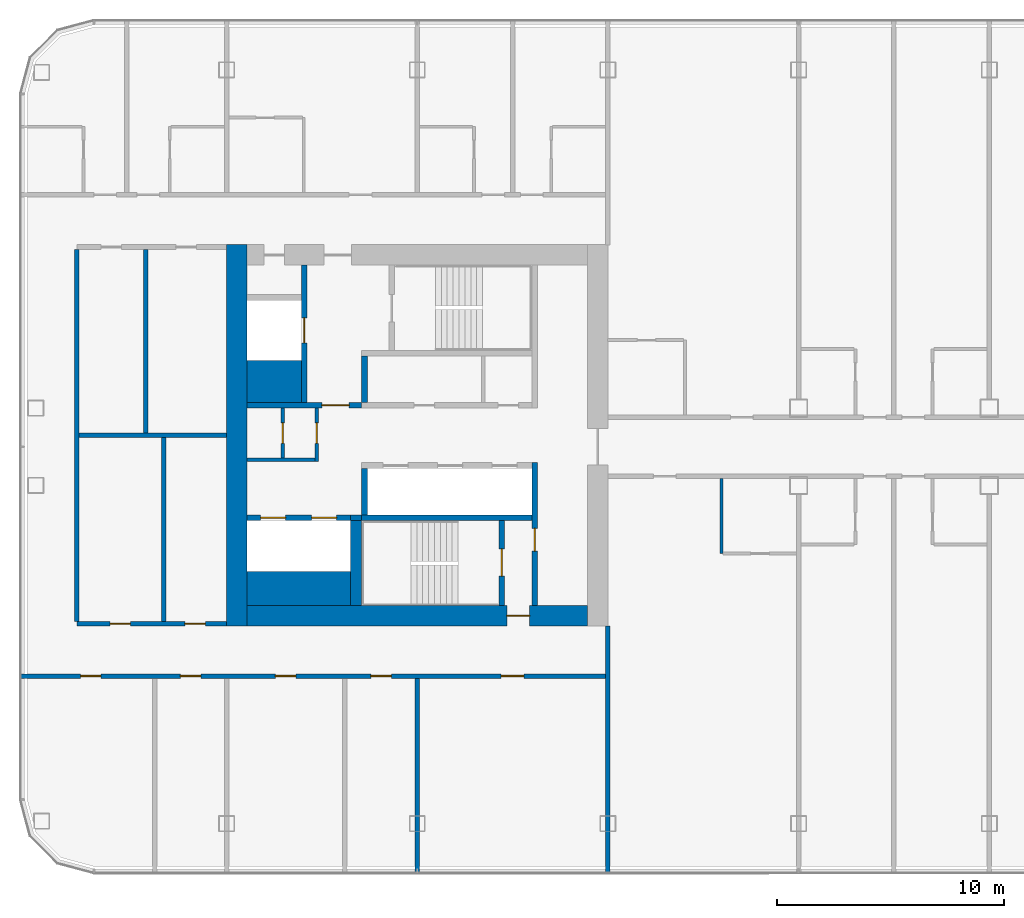
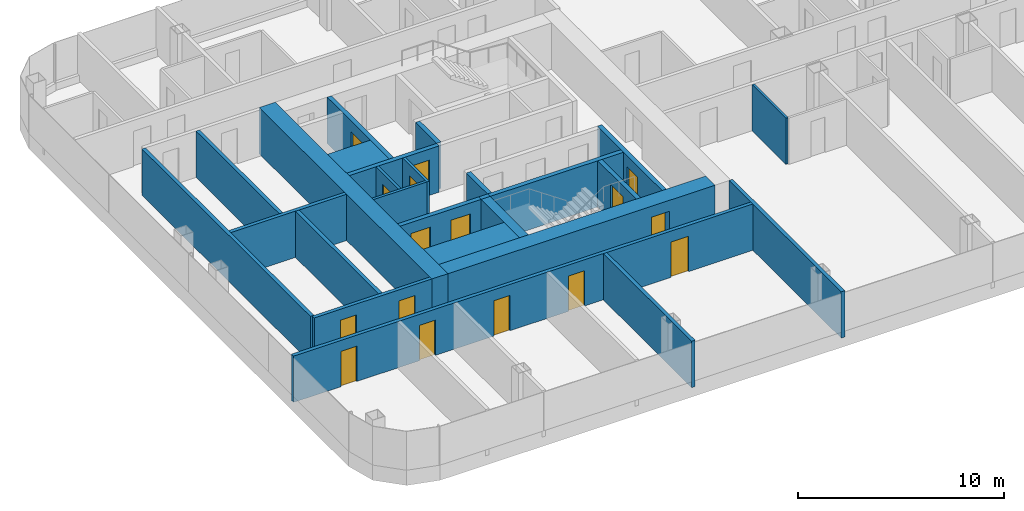
# One storey, part 12 of 26: 26 walls, 16 doors, 16 openings.
"""IFC4 building model written with IfcOpenShell, lengths in metres."""

from ifc_helpers import new_model, si_unit, direction, frame, frame_2d, origin, place, context, subcontext, project, spatial, rectangle, extrude, material, layer, layer_set, type_object, element, fill, save


model = new_model("IFC4")

# Units and contexts
model_context = context("Model", 3, precision=1e-05, world=origin(), true_north=direction((0.0, 1.0)))
body_context = subcontext(model_context, "Body", "Model", "MODEL_VIEW")
ifc_project = project(units=[si_unit("LENGTHUNIT", "METRE"), si_unit("AREAUNIT", "SQUARE_METRE"), si_unit("VOLUMEUNIT", "CUBIC_METRE"), si_unit("PLANEANGLEUNIT", "RADIAN"), si_unit("MASSUNIT", "GRAM", prefix="KILO")], contexts=[model_context])

# Site, building, storey
site_placement = place(None, origin())
site = spatial("IfcSite", under=ifc_project, at=site_placement, CompositionType="ELEMENT")
building_placement = place(site_placement, origin())
building = spatial("IfcBuilding", under=site, at=building_placement, Name="Hakoniwa Tower and Hamabe Station Hall", CompositionType="ELEMENT")
storey_placement = place(building_placement, frame((0.0, 0.0, 153.39990234375)))
storey = spatial("IfcBuildingStorey", under=building, at=storey_placement, Name="L43", CompositionType="ELEMENT", Elevation=153.39990234375)

# Wall
ifc_material_1 = material(Name="Gypsum board partition", Category="gypsum")
ifc_layer_1 = layer(ifc_material_1, 0.125)
ifc_layer_set_1 = layer_set([ifc_layer_1], Name="Bathroom Partition 125")
wall_type_1 = type_object("IfcWallType", Name="Bathroom Partition 125", PredefinedType="PARTITIONING", material=ifc_layer_set_1)
wall_1_placement = place(storey_placement, frame((-11.800048828125, -5.199951171875, 0.0), z_axis=(0.0, 0.0, 1.0), x_axis=(0.0, 1.0, 0.0)))
element("IfcWall", 1, at=wall_1_placement, inside=storey, type_object=wall_type_1, Name="GW-L43-055", PredefinedType="PARTITIONING", context=body_context, shape_type="SweptSolid", body=[
    extrude(rectangle(XDim=3.300048828125, YDim=0.125, at=frame_2d((1.64990234375, 0.0))), origin(), (0.0, 0.0, 1.0), 2.75),
])

# Wall, opening, door
ifc_material_2 = material(Name="Gypsum board partition")
ifc_layer_2 = layer(ifc_material_2, 0.14990234375)
ifc_layer_set_2 = layer_set([ifc_layer_2], Name="CORE PARTITION 150 EI 60")
wall_type_2 = type_object("IfcWallType", Name="CORE PARTITION 150 EI 60", PredefinedType="PARTITIONING", material=ifc_layer_set_2)
wall_2_placement = place(storey_placement, frame((-29.625, -1.14990234375, 0.0), z_axis=(0.0, 0.0, 1.0), x_axis=(0.0, 1.0, 0.0)))
wall_2 = element("IfcWall", 2, at=wall_2_placement, inside=storey, type_object=wall_type_2, Name="Core partition PW0 west", PredefinedType="PARTITIONING", context=body_context, shape_type="SweptSolid", body=[
    extrude(rectangle(XDim=2.349853515625, YDim=0.14990234375, at=frame_2d((1.1748046875, 0.0))), origin(), (0.0, 0.0, 1.0), 2.75),
])
opening_1_placement = place(wall_2_placement, frame((0.800048828125, 0.0, 0.0)))
opening_1 = element("IfcOpeningElement", 3, at=opening_1_placement, cuts=wall_2, Name="Opening CD-W-RM1-9", PredefinedType="OPENING", context=body_context, shape_type="SweptSolid", body=[
    extrude(rectangle(XDim=0.89990234375, YDim=2.10009765625, at=frame_2d((0.449951171875, 1.050048828125))), frame((0.0, 0.0849609375, 0.0), z_axis=(0.0, -1.0, 0.0), x_axis=(1.0, 0.0, 0.0)), (0.0, 0.0, 1.0), 0.169921875),
])
ifc_material_3 = material(Name="Steel fire door", Category="steel")
door_type_1 = type_object("IfcDoorType", Name="CORE DOOR 900 FD30", OperationType="NOTDEFINED", PredefinedType="DOOR", material=ifc_material_3)
door_1_placement = place(opening_1_placement, origin())
door_1 = element("IfcDoor", 4, at=door_1_placement, inside=storey, type_object=door_type_1, Name="Store room door", OperationType="SINGLE_SWING_RIGHT", OverallHeight=2.10009765625, OverallWidth=0.89990234375, PredefinedType="DOOR", context=body_context, shape_type="SweptSolid", body=[
    extrude(rectangle(XDim=0.89990234375, YDim=2.10009765625, at=frame_2d((0.449951171875, 1.050048828125))), frame((0.0, 0.02490234375, 0.0), z_axis=(0.0, -1.0, 0.0), x_axis=(1.0, 0.0, 0.0)), (0.0, 0.0, 1.0), 0.050048828125),
])
fill(opening_1, door_1)

# Wall
wall_3_placement = place(storey_placement, frame((-32.699951171875, -1.074951171875, 0.0), z_axis=(0.0, 0.0, 1.0), x_axis=(1.0, 0.0, 0.0)))
element("IfcWall", 5, at=wall_3_placement, inside=storey, type_object=wall_type_2, Name="Core partition PS west", PredefinedType="PARTITIONING", context=body_context, shape_type="SweptSolid", body=[
    extrude(rectangle(XDim=3.0, YDim=0.14990234375, at=frame_2d((1.5, 0.0))), origin(), (0.0, 0.0, 1.0), 2.75),
])

# Wall, opening, door
wall_4_placement = place(storey_placement, frame((-31.125, -1.0, 0.0), z_axis=(0.0, 0.0, 1.0), x_axis=(0.0, 1.0, 0.0)))
wall_4 = element("IfcWall", 6, at=wall_4_placement, inside=storey, type_object=wall_type_2, Name="Core partition PW1 west", PredefinedType="PARTITIONING", context=body_context, shape_type="SweptSolid", body=[
    extrude(rectangle(XDim=2.199951171875, YDim=0.14990234375, at=frame_2d((1.10009765625, 0.0))), origin(), (0.0, 0.0, 1.0), 2.75),
])
opening_2_placement = place(wall_4_placement, frame((0.64990234375, 0.0, 0.0)))
opening_2 = element("IfcOpeningElement", 7, at=opening_2_placement, cuts=wall_4, Name="Opening CD-W-RM2-9", PredefinedType="OPENING", context=body_context, shape_type="SweptSolid", body=[
    extrude(rectangle(XDim=0.89990234375, YDim=2.10009765625, at=frame_2d((0.449951171875, 1.050048828125))), frame((0.0, 0.0849609375, 0.0), z_axis=(0.0, -1.0, 0.0), x_axis=(1.0, 0.0, 0.0)), (0.0, 0.0, 1.0), 0.169921875),
])
door_2_placement = place(opening_2_placement, origin())
door_2 = element("IfcDoor", 8, at=door_2_placement, inside=storey, type_object=door_type_1, Name="Store room door", OperationType="SINGLE_SWING_RIGHT", OverallHeight=2.10009765625, OverallWidth=0.89990234375, PredefinedType="DOOR", context=body_context, shape_type="SweptSolid", body=[
    extrude(rectangle(XDim=0.89990234375, YDim=2.10009765625, at=frame_2d((0.449951171875, 1.050048828125))), frame((0.0, 0.02490234375, 0.0), z_axis=(0.0, -1.0, 0.0), x_axis=(1.0, 0.0, 0.0)), (0.0, 0.0, 1.0), 0.050048828125),
])
fill(opening_2, door_2)

# Wall
ifc_material_4 = material(Name="Concrete C66", Category="concrete")
ifc_layer_3 = layer(ifc_material_4, 0.89990234375)
ifc_layer_set_3 = layer_set([ifc_layer_3], Name="CORE WALL 900 C66")
wall_type_3 = type_object("IfcWallType", Name="CORE WALL 900 C66", PredefinedType="SHEAR", material=ifc_layer_set_3)
wall_5_placement = place(storey_placement, frame((-33.14990234375, -8.39990234375, 0.0), z_axis=(0.0, 0.0, 1.0), x_axis=(0.0, 1.0, 0.0)))
element("IfcWall", 9, at=wall_5_placement, inside=storey, type_object=wall_type_3, Name="Core wall OUTER west", PredefinedType="SHEAR", context=body_context, shape_type="SweptSolid", body=[
    extrude(rectangle(XDim=16.7998046875, YDim=0.89990234375, at=frame_2d((8.39990234375, 0.0))), origin(), (0.0, 0.0, 1.0), 2.75),
])

# Wall, opening, door
wall_6_placement = place(storey_placement, frame((-32.699951171875, -7.949951171875, 0.0), z_axis=(0.0, 0.0, 1.0), x_axis=(1.0, 0.0, 0.0)))
wall_6 = element("IfcWall", 10, at=wall_6_placement, inside=storey, type_object=wall_type_3, Name="Core wall SOUTH west", PredefinedType="SHEAR", context=body_context, shape_type="SweptSolid", body=[
    extrude(rectangle(XDim=15.0, YDim=0.89990234375, at=frame_2d((7.5, 0.0))), origin(), (0.0, 0.0, 1.0), 2.75),
])
opening_3_placement = place(wall_6_placement, frame((11.449951171875, 0.0, 0.0)))
opening_3 = element("IfcOpeningElement", 11, at=opening_3_placement, cuts=wall_6, Name="Opening CD-W-FS3-10", PredefinedType="OPENING", context=body_context, shape_type="SweptSolid", body=[
    extrude(rectangle(XDim=1.0, YDim=2.10009765625, at=frame_2d((0.5, 1.050048828125))), frame((0.0, 0.4599609375, 0.0), z_axis=(0.0, -1.0, 0.0), x_axis=(1.0, 0.0, 0.0)), (0.0, 0.0, 1.0), 0.919921875),
])
ifc_material_5 = material(Name="Steel fire door", Category="steel")
door_type_2 = type_object("IfcDoorType", Name="CORE DOOR 1000 FD60", OperationType="NOTDEFINED", PredefinedType="DOOR", material=ifc_material_5)
door_3_placement = place(opening_3_placement, origin())
door_3 = element("IfcDoor", 12, at=door_3_placement, inside=storey, type_object=door_type_2, Name="Stair vestibule door", OperationType="SINGLE_SWING_LEFT", OverallHeight=2.10009765625, OverallWidth=1.0, PredefinedType="DOOR", context=body_context, shape_type="SweptSolid", body=[
    extrude(rectangle(XDim=1.0, YDim=2.10009765625, at=frame_2d((0.5, 1.050048828125))), frame((0.0, 0.02490234375, 0.0), z_axis=(0.0, -1.0, 0.0), x_axis=(1.0, 0.0, 0.0)), (0.0, 0.0, 1.0), 0.050048828125),
])
fill(opening_3, door_3)

# Walls
ifc_material_6 = material(Name="Concrete C66", Category="concrete")
ifc_layer_4 = layer(ifc_material_6, 1.5)
ifc_layer_set_4 = layer_set([ifc_layer_4], Name="CORE WEB WALL 1500 C66")
wall_type_4 = type_object("IfcWallType", Name="CORE WEB WALL 1500 C66", PredefinedType="SHEAR", material=ifc_layer_set_4)
wall_7_placement = place(storey_placement, frame((-32.699951171875, -6.75, 0.0), z_axis=(0.0, 0.0, 1.0), x_axis=(1.0, 0.0, 0.0)))
element("IfcWall", 13, at=wall_7_placement, inside=storey, type_object=wall_type_4, Name="Core wall SER west", PredefinedType="SHEAR", context=body_context, shape_type="SweptSolid", body=[
    extrude(rectangle(XDim=4.550048828125, YDim=1.5, at=frame_2d((2.27490234375, 0.0))), origin(), (0.0, 0.0, 1.0), 2.75),
])
ifc_material_7 = material(Name="Concrete C66", Category="concrete")
ifc_layer_5 = layer(ifc_material_7, 1.85009765625)
ifc_layer_set_5 = layer_set([ifc_layer_5], Name="CORE WEB WALL 1850 C66")
wall_type_5 = type_object("IfcWallType", Name="CORE WEB WALL 1850 C66", PredefinedType="SHEAR", material=ifc_layer_set_5)
wall_8_placement = place(storey_placement, frame((-32.699951171875, 2.375, 0.0), z_axis=(0.0, 0.0, 1.0), x_axis=(1.0, 0.0, 0.0)))
element("IfcWall", 14, at=wall_8_placement, inside=storey, type_object=wall_type_5, Name="Core wall CA west", PredefinedType="SHEAR", context=body_context, shape_type="SweptSolid", body=[
    extrude(rectangle(XDim=2.39990234375, YDim=1.85009765625, at=frame_2d((1.199951171875, 0.0))), origin(), (0.0, 0.0, 1.0), 2.75),
])

# Wall, opening, door
ifc_material_8 = material(Name="Concrete C66", Category="concrete")
ifc_layer_6 = layer(ifc_material_8, 0.25)
ifc_layer_set_6 = layer_set([ifc_layer_6], Name="CORE WEB WALL 250 C66")
wall_type_6 = type_object("IfcWallType", Name="CORE WEB WALL 250 C66", PredefinedType="SHEAR", material=ifc_layer_set_6)
wall_9_placement = place(storey_placement, frame((-20.02490234375, -7.5, 0.0), z_axis=(0.0, 0.0, 1.0), x_axis=(0.0, 1.0, 0.0)))
wall_9 = element("IfcWall", 15, at=wall_9_placement, inside=storey, type_object=wall_type_6, Name="Core wall W1S west", PredefinedType="SHEAR", context=body_context, shape_type="SweptSolid", body=[
    extrude(rectangle(XDim=6.300048828125, YDim=0.25, at=frame_2d((3.14990234375, 0.0))), origin(), (0.0, 0.0, 1.0), 2.75),
])
opening_4_placement = place(wall_9_placement, frame((2.39990234375, 0.0, 0.0)))
opening_4 = element("IfcOpeningElement", 16, at=opening_4_placement, cuts=wall_9, Name="Opening CD-W-VS-10", PredefinedType="OPENING", context=body_context, shape_type="SweptSolid", body=[
    extrude(rectangle(XDim=1.0, YDim=2.10009765625, at=frame_2d((0.5, 1.050048828125))), frame((0.0, 0.135009765625, 0.0), z_axis=(0.0, -1.0, 0.0), x_axis=(1.0, 0.0, 0.0)), (0.0, 0.0, 1.0), 0.27001953125),
])
door_4_placement = place(opening_4_placement, origin())
door_4 = element("IfcDoor", 17, at=door_4_placement, inside=storey, type_object=door_type_2, Name="Stair vestibule door", OperationType="SINGLE_SWING_LEFT", OverallHeight=2.10009765625, OverallWidth=1.0, PredefinedType="DOOR", context=body_context, shape_type="SweptSolid", body=[
    extrude(rectangle(XDim=1.0, YDim=2.10009765625, at=frame_2d((0.5, 1.050048828125))), frame((0.0, 0.02490234375, 0.0), z_axis=(0.0, -1.0, 0.0), x_axis=(1.0, 0.0, 0.0)), (0.0, 0.0, 1.0), 0.050048828125),
])
fill(opening_4, door_4)

# Wall
wall_10_placement = place(storey_placement, frame((-27.52490234375, 1.449951171875, 0.0), z_axis=(0.0, 0.0, 1.0), x_axis=(0.0, 1.0, 0.0)))
element("IfcWall", 18, at=wall_10_placement, inside=storey, type_object=wall_type_6, Name="Core wall NE west", PredefinedType="SHEAR", context=body_context, shape_type="SweptSolid", body=[
    extrude(rectangle(XDim=2.050048828125, YDim=0.25, at=frame_2d((1.02490234375, 0.0))), origin(), (0.0, 0.0, 1.0), 2.75),
])

# Wall, opening, door
wall_11_placement = place(storey_placement, frame((-32.699951171875, 1.324951171875, 0.0), z_axis=(0.0, 0.0, 1.0), x_axis=(1.0, 0.0, 0.0)))
wall_11 = element("IfcWall", 19, at=wall_11_placement, inside=storey, type_object=wall_type_6, Name="Core wall ELN west", PredefinedType="SHEAR", context=body_context, shape_type="SweptSolid", body=[
    extrude(rectangle(XDim=5.050048828125, YDim=0.25, at=frame_2d((2.52490234375, 0.0))), origin(), (0.0, 0.0, 1.0), 2.75),
])
opening_5_placement = place(wall_11_placement, frame((3.300048828125, 0.0, 0.0)))
opening_5 = element("IfcOpeningElement", 20, at=opening_5_placement, cuts=wall_11, Name="Opening CD-W-FL-12", PredefinedType="OPENING", context=body_context, shape_type="SweptSolid", body=[
    extrude(rectangle(XDim=1.199951171875, YDim=2.10009765625, at=frame_2d((0.60009765625, 1.050048828125))), frame((0.0, 0.135009765625, 0.0), z_axis=(0.0, -1.0, 0.0), x_axis=(1.0, 0.0, 0.0)), (0.0, 0.0, 1.0), 0.27001953125),
])
ifc_material_9 = material(Name="Steel fire door", Category="steel")
door_type_3 = type_object("IfcDoorType", Name="CORE DOOR 1200 FD60", OperationType="DOUBLE_DOOR_SINGLE_SWING", PredefinedType="DOOR", material=ifc_material_9)
door_5_placement = place(opening_5_placement, origin())
door_5 = element("IfcDoor", 21, at=door_5_placement, inside=storey, type_object=door_type_3, Name="Stair vestibule door to the fire-fighting lobby", OperationType="DOUBLE_DOOR_SINGLE_SWING", OverallHeight=2.10009765625, OverallWidth=1.199951171875, PredefinedType="DOOR", context=body_context, shape_type="SweptSolid", body=[
    extrude(rectangle(XDim=1.199951171875, YDim=2.10009765625, at=frame_2d((0.60009765625, 1.050048828125))), frame((0.0, 0.02490234375, 0.0), z_axis=(0.0, -1.0, 0.0), x_axis=(1.0, 0.0, 0.0)), (0.0, 0.0, 1.0), 0.050048828125),
])
fill(opening_5, door_5)

wall_12_placement = place(storey_placement, frame((-30.175048828125, 1.449951171875, 0.0), z_axis=(0.0, 0.0, 1.0), x_axis=(0.0, 1.0, 0.0)))
wall_12 = element("IfcWall", 22, at=wall_12_placement, inside=storey, type_object=wall_type_6, Name="Core wall FFF west", PredefinedType="SHEAR", context=body_context, shape_type="SweptSolid", body=[
    extrude(rectangle(XDim=6.050048828125, YDim=0.25, at=frame_2d((3.02490234375, 0.0))), origin(), (0.0, 0.0, 1.0), 2.75),
])
opening_6_placement = place(wall_12_placement, frame((2.625, 0.0, 0.0)))
opening_6 = element("IfcOpeningElement", 23, at=opening_6_placement, cuts=wall_12, Name="Opening LD-FF1", PredefinedType="OPENING", context=body_context, shape_type="SweptSolid", body=[
    extrude(rectangle(XDim=1.10009765625, YDim=2.10009765625, at=frame_2d((0.550048828125, 1.050048828125))), frame((0.0, 0.135009765625, 0.0), z_axis=(0.0, -1.0, 0.0), x_axis=(1.0, 0.0, 0.0)), (0.0, 0.0, 1.0), 0.27001953125),
])
ifc_material_10 = material(Name="Stainless steel SUS304", Category="steel")
door_type_4 = type_object("IfcDoorType", Name="LIFT LANDING DOOR 1100 FD60", OperationType="DOUBLE_DOOR_SLIDING", PredefinedType="DOOR", material=ifc_material_10)
door_6_placement = place(opening_6_placement, origin())
door_6 = element("IfcDoor", 24, at=door_6_placement, inside=storey, type_object=door_type_4, Name="Lift landing door FF1 L43", OperationType="DOUBLE_DOOR_SLIDING", OverallHeight=2.10009765625, OverallWidth=1.10009765625, PredefinedType="DOOR", context=body_context, shape_type="SweptSolid", body=[
    extrude(rectangle(XDim=1.10009765625, YDim=2.10009765625, at=frame_2d((0.550048828125, 1.050048828125))), frame((0.0, 0.02490234375, 0.0), z_axis=(0.0, -1.0, 0.0), x_axis=(1.0, 0.0, 0.0)), (0.0, 0.0, 1.0), 0.050048828125),
])
fill(opening_6, door_6)

# Walls
wall_13_placement = place(storey_placement, frame((-27.52490234375, -3.5, 0.0), z_axis=(0.0, 0.0, 1.0), x_axis=(0.0, 1.0, 0.0)))
element("IfcWall", 25, at=wall_13_placement, inside=storey, type_object=wall_type_6, Name="Core wall SE west", PredefinedType="SHEAR", context=body_context, shape_type="SweptSolid", body=[
    extrude(rectangle(XDim=2.050048828125, YDim=0.25, at=frame_2d((1.02490234375, 0.0))), origin(), (0.0, 0.0, 1.0), 2.75),
])
wall_14_placement = place(storey_placement, frame((-27.64990234375, -3.625, 0.0), z_axis=(0.0, 0.0, 1.0), x_axis=(1.0, 0.0, 0.0)))
element("IfcWall", 26, at=wall_14_placement, inside=storey, type_object=wall_type_6, Name="Core wall SR west", PredefinedType="SHEAR", context=body_context, shape_type="SweptSolid", body=[
    extrude(rectangle(XDim=7.5, YDim=0.25, at=frame_2d((3.75, 0.0))), origin(), (0.0, 0.0, 1.0), 2.75),
])

# Wall, opening, door
wall_15_placement = place(storey_placement, frame((-21.47509765625, -7.5, 0.0), z_axis=(0.0, 0.0, 1.0), x_axis=(0.0, 1.0, 0.0)))
wall_15 = element("IfcWall", 27, at=wall_15_placement, inside=storey, type_object=wall_type_6, Name="Core wall VE west", PredefinedType="SHEAR", context=body_context, shape_type="SweptSolid", body=[
    extrude(rectangle(XDim=3.75, YDim=0.25, at=frame_2d((1.875, 0.0))), origin(), (0.0, 0.0, 1.0), 2.75),
])
opening_7_placement = place(wall_15_placement, frame((1.300048828125, 0.0, 0.0)))
opening_7 = element("IfcOpeningElement", 28, at=opening_7_placement, cuts=wall_15, Name="Opening CD-W-SS-12", PredefinedType="OPENING", context=body_context, shape_type="SweptSolid", body=[
    extrude(rectangle(XDim=1.199951171875, YDim=2.10009765625, at=frame_2d((0.60009765625, 1.050048828125))), frame((0.0, 0.135009765625, 0.0), z_axis=(0.0, -1.0, 0.0), x_axis=(1.0, 0.0, 0.0)), (0.0, 0.0, 1.0), 0.27001953125),
])
door_7_placement = place(opening_7_placement, origin())
door_7 = element("IfcDoor", 29, at=door_7_placement, inside=storey, type_object=door_type_3, Name="Escape stair door", OperationType="DOUBLE_DOOR_SINGLE_SWING", OverallHeight=2.10009765625, OverallWidth=1.199951171875, PredefinedType="DOOR", context=body_context, shape_type="SweptSolid", body=[
    extrude(rectangle(XDim=1.199951171875, YDim=2.10009765625, at=frame_2d((0.60009765625, 1.050048828125))), frame((0.0, 0.02490234375, 0.0), z_axis=(0.0, -1.0, 0.0), x_axis=(1.0, 0.0, 0.0)), (0.0, 0.0, 1.0), 0.050048828125),
])
fill(opening_7, door_7)

# Wall, openings, doors
wall_16_placement = place(storey_placement, frame((-32.699951171875, -3.625, 0.0), z_axis=(0.0, 0.0, 1.0), x_axis=(1.0, 0.0, 0.0)))
wall_16 = element("IfcWall", 30, at=wall_16_placement, inside=storey, type_object=wall_type_6, Name="Core wall SEF west", PredefinedType="SHEAR", context=body_context, shape_type="SweptSolid", body=[
    extrude(rectangle(XDim=4.550048828125, YDim=0.25, at=frame_2d((2.27490234375, 0.0))), origin(), (0.0, 0.0, 1.0), 2.75),
])
opening_8_placement = place(wall_16_placement, frame((2.85009765625, 0.0, 0.0)))
opening_8 = element("IfcOpeningElement", 31, at=opening_8_placement, cuts=wall_16, Name="Opening LD-SV1", PredefinedType="OPENING", context=body_context, shape_type="SweptSolid", body=[
    extrude(rectangle(XDim=1.10009765625, YDim=2.10009765625, at=frame_2d((0.550048828125, 1.050048828125))), frame((0.0, 0.135009765625, 0.0), z_axis=(0.0, -1.0, 0.0), x_axis=(1.0, 0.0, 0.0)), (0.0, 0.0, 1.0), 0.27001953125),
])
opening_9_placement = place(wall_16_placement, frame((0.60009765625, 0.0, 0.0)))
opening_9 = element("IfcOpeningElement", 32, at=opening_9_placement, cuts=wall_16, Name="Opening LD-SV2", PredefinedType="OPENING", context=body_context, shape_type="SweptSolid", body=[
    extrude(rectangle(XDim=1.10009765625, YDim=2.10009765625, at=frame_2d((0.550048828125, 1.050048828125))), frame((0.0, 0.135009765625, 0.0), z_axis=(0.0, -1.0, 0.0), x_axis=(1.0, 0.0, 0.0)), (0.0, 0.0, 1.0), 0.27001953125),
])
door_8_placement = place(opening_8_placement, origin())
door_8 = element("IfcDoor", 33, at=door_8_placement, inside=storey, type_object=door_type_4, Name="Lift landing door SV1 L43", OperationType="DOUBLE_DOOR_SLIDING", OverallHeight=2.10009765625, OverallWidth=1.10009765625, PredefinedType="DOOR", context=body_context, shape_type="SweptSolid", body=[
    extrude(rectangle(XDim=1.10009765625, YDim=2.10009765625, at=frame_2d((0.550048828125, 1.050048828125))), frame((0.0, 0.02490234375, 0.0), z_axis=(0.0, -1.0, 0.0), x_axis=(1.0, 0.0, 0.0)), (0.0, 0.0, 1.0), 0.050048828125),
])
fill(opening_8, door_8)
door_9_placement = place(opening_9_placement, origin())
door_9 = element("IfcDoor", 34, at=door_9_placement, inside=storey, type_object=door_type_4, Name="Lift landing door SV2 L43", OperationType="DOUBLE_DOOR_SLIDING", OverallHeight=2.10009765625, OverallWidth=1.10009765625, PredefinedType="DOOR", context=body_context, shape_type="SweptSolid", body=[
    extrude(rectangle(XDim=1.10009765625, YDim=2.10009765625, at=frame_2d((0.550048828125, 1.050048828125))), frame((0.0, 0.02490234375, 0.0), z_axis=(0.0, -1.0, 0.0), x_axis=(1.0, 0.0, 0.0)), (0.0, 0.0, 1.0), 0.050048828125),
])
fill(opening_9, door_9)

# Walls
wall_17_placement = place(storey_placement, frame((-28.14990234375, -3.625, 0.0), z_axis=(0.0, 0.0, 1.0), x_axis=(1.0, 0.0, 0.0)))
element("IfcWall", 35, at=wall_17_placement, inside=storey, type_object=wall_type_6, Name="Core wall SRK west", PredefinedType="SHEAR", context=body_context, shape_type="SweptSolid", body=[
    extrude(rectangle(XDim=0.5, YDim=0.25, at=frame_2d((0.25, 0.0))), origin(), (0.0, 0.0, 1.0), 2.75),
])
ifc_material_11 = material(Name="Concrete C66", Category="concrete")
ifc_layer_7 = layer(ifc_material_11, 0.5)
ifc_layer_set_7 = layer_set([ifc_layer_7], Name="CORE WEB WALL 500 C66")
wall_type_7 = type_object("IfcWallType", Name="CORE WEB WALL 500 C66", PredefinedType="SHEAR", material=ifc_layer_set_7)
wall_18_placement = place(storey_placement, frame((-27.89990234375, -7.5, 0.0), z_axis=(0.0, 0.0, 1.0), x_axis=(0.0, 1.0, 0.0)))
element("IfcWall", 36, at=wall_18_placement, inside=storey, type_object=wall_type_7, Name="Core wall SSE west", PredefinedType="SHEAR", context=body_context, shape_type="SweptSolid", body=[
    extrude(rectangle(XDim=3.75, YDim=0.5, at=frame_2d((1.875, 0.0))), origin(), (0.0, 0.0, 1.0), 2.75),
])

# Wall, openings, doors
ifc_material_12 = material(Name="Fire-rated gypsum board partition", Category="gypsum")
ifc_layer_8 = layer(ifc_material_12, 0.199951171875)
ifc_layer_set_8 = layer_set([ifc_layer_8], Name="Corridor Wall 200")
wall_type_8 = type_object("IfcWallType", Name="Corridor Wall 200", PredefinedType="PARTITIONING", material=ifc_layer_set_8)
wall_19_placement = place(storey_placement, frame((-42.699951171875, -10.60009765625, 0.0), z_axis=(0.0, 0.0, 1.0), x_axis=(1.0, 0.0, 0.0)))
wall_19 = element("IfcWall", 37, at=wall_19_placement, inside=storey, type_object=wall_type_8, Name="GW-L43-005", PredefinedType="PARTITIONING", context=body_context, shape_type="SweptSolid", body=[
    extrude(rectangle(XDim=25.89990234375, YDim=0.199951171875, at=frame_2d((12.949951171875, 0.0))), origin(), (0.0, 0.0, 1.0), 2.75),
])
opening_10_placement = place(wall_19_placement, frame((2.6650390625, 0.0, 0.0)))
opening_10 = element("IfcOpeningElement", 38, at=opening_10_placement, cuts=wall_19, Name="Opening GD-G3C1-03", PredefinedType="OPENING", context=body_context, shape_type="SweptSolid", body=[
    extrude(rectangle(XDim=0.89990234375, YDim=2.10009765625, at=frame_2d((0.449951171875, 1.050048828125))), frame((0.0, 0.10986328125, 0.0), z_axis=(0.0, -1.0, 0.0), x_axis=(1.0, 0.0, 0.0)), (0.0, 0.0, 1.0), 0.219970703125),
])
opening_11_placement = place(wall_19_placement, frame((7.06494140625, 0.0, 0.0)))
opening_11 = element("IfcOpeningElement", 39, at=opening_11_placement, cuts=wall_19, Name="Opening GD-G3C1-04", PredefinedType="OPENING", context=body_context, shape_type="SweptSolid", body=[
    extrude(rectangle(XDim=0.89990234375, YDim=2.10009765625, at=frame_2d((0.449951171875, 1.050048828125))), frame((0.0, 0.10986328125, 0.0), z_axis=(0.0, -1.0, 0.0), x_axis=(1.0, 0.0, 0.0)), (0.0, 0.0, 1.0), 0.219970703125),
])
opening_12_placement = place(wall_19_placement, frame((11.2548828125, 0.0, 0.0)))
opening_12 = element("IfcOpeningElement", 40, at=opening_12_placement, cuts=wall_19, Name="Opening GD-G3C1-05", PredefinedType="OPENING", context=body_context, shape_type="SweptSolid", body=[
    extrude(rectangle(XDim=0.89990234375, YDim=2.10009765625, at=frame_2d((0.449951171875, 1.050048828125))), frame((0.0, 0.10986328125, 0.0), z_axis=(0.0, -1.0, 0.0), x_axis=(1.0, 0.0, 0.0)), (0.0, 0.0, 1.0), 0.219970703125),
])
opening_13_placement = place(wall_19_placement, frame((15.455078125, 0.0, 0.0)))
opening_13 = element("IfcOpeningElement", 41, at=opening_13_placement, cuts=wall_19, Name="Opening GD-G3C1-06", PredefinedType="OPENING", context=body_context, shape_type="SweptSolid", body=[
    extrude(rectangle(XDim=0.89990234375, YDim=2.10009765625, at=frame_2d((0.449951171875, 1.050048828125))), frame((0.0, 0.10986328125, 0.0), z_axis=(0.0, -1.0, 0.0), x_axis=(1.0, 0.0, 0.0)), (0.0, 0.0, 1.0), 0.219970703125),
])
opening_14_placement = place(wall_19_placement, frame((21.199951171875, 0.0, 0.0)))
opening_14 = element("IfcOpeningElement", 42, at=opening_14_placement, cuts=wall_19, Name="Opening GD-G3C1-07", PredefinedType="OPENING", context=body_context, shape_type="SweptSolid", body=[
    extrude(rectangle(XDim=1.0, YDim=2.10009765625, at=frame_2d((0.5, 1.050048828125))), frame((0.0, 0.10986328125, 0.0), z_axis=(0.0, -1.0, 0.0), x_axis=(1.0, 0.0, 0.0)), (0.0, 0.0, 1.0), 0.219970703125),
])
ifc_material_13 = material(Name="Timber door leaf", Category="wood")
door_type_5 = type_object("IfcDoorType", Name="Guest Entrance Door 1000", OperationType="SINGLE_SWING_LEFT", PredefinedType="DOOR", material=ifc_material_13)
door_10_placement = place(opening_14_placement, origin())
door_10 = element("IfcDoor", 43, at=door_10_placement, inside=storey, type_object=door_type_5, Name="Door GD-G3C1-07", OperationType="SINGLE_SWING_LEFT", OverallHeight=2.10009765625, OverallWidth=1.0, PredefinedType="DOOR", context=body_context, shape_type="SweptSolid", body=[
    extrude(rectangle(XDim=1.0, YDim=2.10009765625, at=frame_2d((0.5, 1.050048828125))), frame((0.0, 0.02490234375, 0.0), z_axis=(0.0, -1.0, 0.0), x_axis=(1.0, 0.0, 0.0)), (0.0, 0.0, 1.0), 0.050048828125),
])
fill(opening_14, door_10)
ifc_material_14 = material(Name="Timber door leaf", Category="wood")
door_type_6 = type_object("IfcDoorType", Name="Service Door 900", OperationType="SINGLE_SWING_LEFT", PredefinedType="DOOR", material=ifc_material_14)
door_11_placement = place(opening_10_placement, origin())
door_11 = element("IfcDoor", 44, at=door_11_placement, inside=storey, type_object=door_type_6, Name="Door GD-G3C1-03", OperationType="SINGLE_SWING_LEFT", OverallHeight=2.10009765625, OverallWidth=0.89990234375, PredefinedType="DOOR", context=body_context, shape_type="SweptSolid", body=[
    extrude(rectangle(XDim=0.89990234375, YDim=2.10009765625, at=frame_2d((0.449951171875, 1.050048828125))), frame((0.0, 0.02490234375, 0.0), z_axis=(0.0, -1.0, 0.0), x_axis=(1.0, 0.0, 0.0)), (0.0, 0.0, 1.0), 0.050048828125),
])
fill(opening_10, door_11)
door_12_placement = place(opening_11_placement, origin())
door_12 = element("IfcDoor", 45, at=door_12_placement, inside=storey, type_object=door_type_6, Name="Door GD-G3C1-04", OperationType="SINGLE_SWING_RIGHT", OverallHeight=2.10009765625, OverallWidth=0.89990234375, PredefinedType="DOOR", context=body_context, shape_type="SweptSolid", body=[
    extrude(rectangle(XDim=0.89990234375, YDim=2.10009765625, at=frame_2d((0.449951171875, 1.050048828125))), frame((0.0, 0.02490234375, 0.0), z_axis=(0.0, -1.0, 0.0), x_axis=(1.0, 0.0, 0.0)), (0.0, 0.0, 1.0), 0.050048828125),
])
fill(opening_11, door_12)
door_13_placement = place(opening_12_placement, origin())
door_13 = element("IfcDoor", 46, at=door_13_placement, inside=storey, type_object=door_type_6, Name="Door GD-G3C1-05", OperationType="SINGLE_SWING_LEFT", OverallHeight=2.10009765625, OverallWidth=0.89990234375, PredefinedType="DOOR", context=body_context, shape_type="SweptSolid", body=[
    extrude(rectangle(XDim=0.89990234375, YDim=2.10009765625, at=frame_2d((0.449951171875, 1.050048828125))), frame((0.0, 0.02490234375, 0.0), z_axis=(0.0, -1.0, 0.0), x_axis=(1.0, 0.0, 0.0)), (0.0, 0.0, 1.0), 0.050048828125),
])
fill(opening_12, door_13)
door_14_placement = place(opening_13_placement, origin())
door_14 = element("IfcDoor", 47, at=door_14_placement, inside=storey, type_object=door_type_6, Name="Door GD-G3C1-06", OperationType="SINGLE_SWING_RIGHT", OverallHeight=2.10009765625, OverallWidth=0.89990234375, PredefinedType="DOOR", context=body_context, shape_type="SweptSolid", body=[
    extrude(rectangle(XDim=0.89990234375, YDim=2.10009765625, at=frame_2d((0.449951171875, 1.050048828125))), frame((0.0, 0.02490234375, 0.0), z_axis=(0.0, -1.0, 0.0), x_axis=(1.0, 0.0, 0.0)), (0.0, 0.0, 1.0), 0.050048828125),
])
fill(opening_13, door_14)

wall_20_placement = place(storey_placement, frame((-40.199951171875, -8.300048828125, 0.0), z_axis=(0.0, 0.0, 1.0), x_axis=(1.0, 0.0, 0.0)))
wall_20 = element("IfcWall", 48, at=wall_20_placement, inside=storey, type_object=wall_type_8, Name="GW-L43-007", PredefinedType="PARTITIONING", context=body_context, shape_type="SweptSolid", body=[
    extrude(rectangle(XDim=6.599853515625, YDim=0.199951171875, at=frame_2d((3.2998046875, 0.0))), origin(), (0.0, 0.0, 1.0), 2.75),
])
opening_15_placement = place(wall_20_placement, frame((1.465087890625, 0.0, 0.0)))
opening_15 = element("IfcOpeningElement", 49, at=opening_15_placement, cuts=wall_20, Name="Opening GD-G3C1-12", PredefinedType="OPENING", context=body_context, shape_type="SweptSolid", body=[
    extrude(rectangle(XDim=0.89990234375, YDim=2.10009765625, at=frame_2d((0.449951171875, 1.050048828125))), frame((0.0, 0.10986328125, 0.0), z_axis=(0.0, -1.0, 0.0), x_axis=(1.0, 0.0, 0.0)), (0.0, 0.0, 1.0), 0.219970703125),
])
opening_16_placement = place(wall_20_placement, frame((4.764892578125, 0.0, 0.0)))
opening_16 = element("IfcOpeningElement", 50, at=opening_16_placement, cuts=wall_20, Name="Opening GD-G3C1-13", PredefinedType="OPENING", context=body_context, shape_type="SweptSolid", body=[
    extrude(rectangle(XDim=0.89990234375, YDim=2.10009765625, at=frame_2d((0.449951171875, 1.050048828125))), frame((0.0, 0.10986328125, 0.0), z_axis=(0.0, -1.0, 0.0), x_axis=(1.0, 0.0, 0.0)), (0.0, 0.0, 1.0), 0.219970703125),
])
door_15_placement = place(opening_15_placement, origin())
door_15 = element("IfcDoor", 51, at=door_15_placement, inside=storey, type_object=door_type_6, Name="Door GD-G3C1-12", OperationType="SINGLE_SWING_RIGHT", OverallHeight=2.10009765625, OverallWidth=0.89990234375, PredefinedType="DOOR", context=body_context, shape_type="SweptSolid", body=[
    extrude(rectangle(XDim=0.89990234375, YDim=2.10009765625, at=frame_2d((0.449951171875, 1.050048828125))), frame((0.0, 0.02490234375, 0.0), z_axis=(0.0, -1.0, 0.0), x_axis=(1.0, 0.0, 0.0)), (0.0, 0.0, 1.0), 0.050048828125),
])
fill(opening_15, door_15)
door_16_placement = place(opening_16_placement, origin())
door_16 = element("IfcDoor", 52, at=door_16_placement, inside=storey, type_object=door_type_6, Name="Door GD-G3C1-13", OperationType="SINGLE_SWING_RIGHT", OverallHeight=2.10009765625, OverallWidth=0.89990234375, PredefinedType="DOOR", context=body_context, shape_type="SweptSolid", body=[
    extrude(rectangle(XDim=0.89990234375, YDim=2.10009765625, at=frame_2d((0.449951171875, 1.050048828125))), frame((0.0, 0.02490234375, 0.0), z_axis=(0.0, -1.0, 0.0), x_axis=(1.0, 0.0, 0.0)), (0.0, 0.0, 1.0), 0.050048828125),
])
fill(opening_16, door_16)

# Walls
ifc_material_15 = material(Name="Fire-rated gypsum board partition", Category="gypsum")
ifc_layer_9 = layer(ifc_material_15, 0.199951171875)
ifc_layer_set_9 = layer_set([ifc_layer_9], Name="Party Wall 200")
wall_type_9 = type_object("IfcWallType", Name="Party Wall 200", PredefinedType="PARTITIONING", material=ifc_layer_set_9)
wall_21_placement = place(storey_placement, frame((-40.10009765625, 0.0, 0.0), z_axis=(0.0, 0.0, 1.0), x_axis=(1.0, 0.0, 0.0)))
element("IfcWall", 53, at=wall_21_placement, inside=storey, type_object=wall_type_9, Name="GW-L43-015", PredefinedType="PARTITIONING", context=body_context, shape_type="SweptSolid", body=[
    extrude(rectangle(XDim=6.5, YDim=0.199951171875, at=frame_2d((3.25, 0.0))), origin(), (0.0, 0.0, 1.0), 2.75),
])
wall_22_placement = place(storey_placement, frame((-40.199951171875, -8.199951171875, 0.0), z_axis=(0.0, 0.0, 1.0), x_axis=(0.0, 1.0, 0.0)))
element("IfcWall", 54, at=wall_22_placement, inside=storey, type_object=wall_type_9, Name="GW-L43-036", PredefinedType="PARTITIONING", context=body_context, shape_type="SweptSolid", body=[
    extrude(rectangle(XDim=16.39990234375, YDim=0.199951171875, at=frame_2d((8.199951171875, 0.0))), origin(), (0.0, 0.0, 1.0), 2.75),
])
for number, where, z_axis, x_axis, name in (
    (55, (-37.159912109375, 0.0, 0.0), (0.0, 0.0, 1.0), (0.0, 1.0, 0.0), "GW-L43-039"),
    (56, (-36.3701171875, -8.199951171875, 0.0), (0.0, 0.0, 1.0), (0.0, 1.0, 0.0), "GW-L43-041"),
):
    element("IfcWall", number, at=place(storey_placement, frame(where, z_axis=z_axis, x_axis=x_axis)), inside=storey, type_object=wall_type_9, Name=name, PredefinedType="PARTITIONING", context=body_context, shape_type="SweptSolid", body=[
        extrude(rectangle(XDim=8.199951171875, YDim=0.199951171875, at=frame_2d((4.10009765625, 0.0))), origin(), (0.0, 0.0, 1.0), 2.75),
    ])
wall_23_placement = place(storey_placement, frame((-25.199951171875, -19.300048828125, 0.0), z_axis=(0.0, 0.0, 1.0), x_axis=(0.0, 1.0, 0.0)))
element("IfcWall", 57, at=wall_23_placement, inside=storey, type_object=wall_type_9, Name="GW-L43-047", PredefinedType="PARTITIONING", context=body_context, shape_type="SweptSolid", body=[
    extrude(rectangle(XDim=8.60009765625, YDim=0.199951171875, at=frame_2d((4.300048828125, 0.0))), origin(), (0.0, 0.0, 1.0), 2.75),
])
wall_24_placement = place(storey_placement, frame((-16.800048828125, -19.300048828125, 0.0), z_axis=(0.0, 0.0, 1.0), x_axis=(0.0, 1.0, 0.0)))
element("IfcWall", 58, at=wall_24_placement, inside=storey, type_object=wall_type_9, Name="GW-L43-052", PredefinedType="PARTITIONING", context=body_context, shape_type="SweptSolid", body=[
    extrude(rectangle(XDim=10.91015625, YDim=0.199951171875, at=frame_2d((5.455078125, 0.0))), origin(), (0.0, 0.0, 1.0), 2.75),
])

save(model, "model.ifc")
